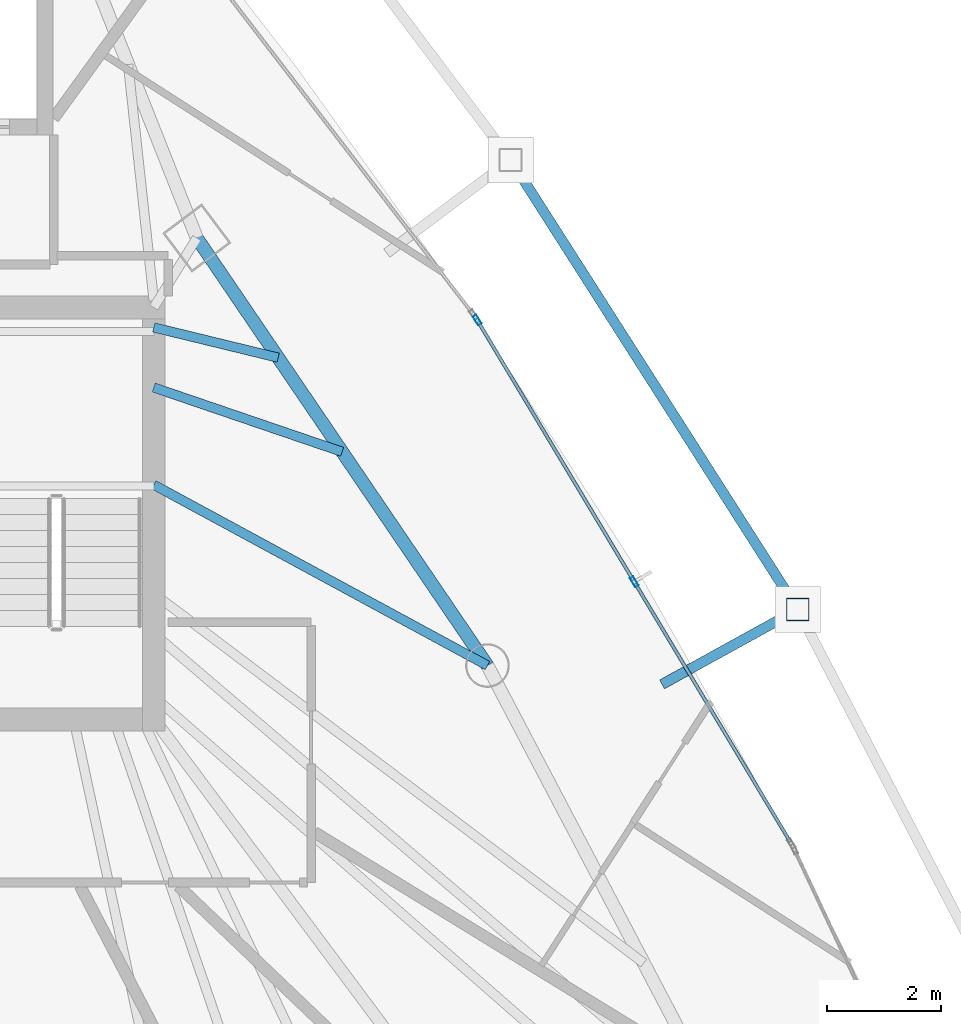
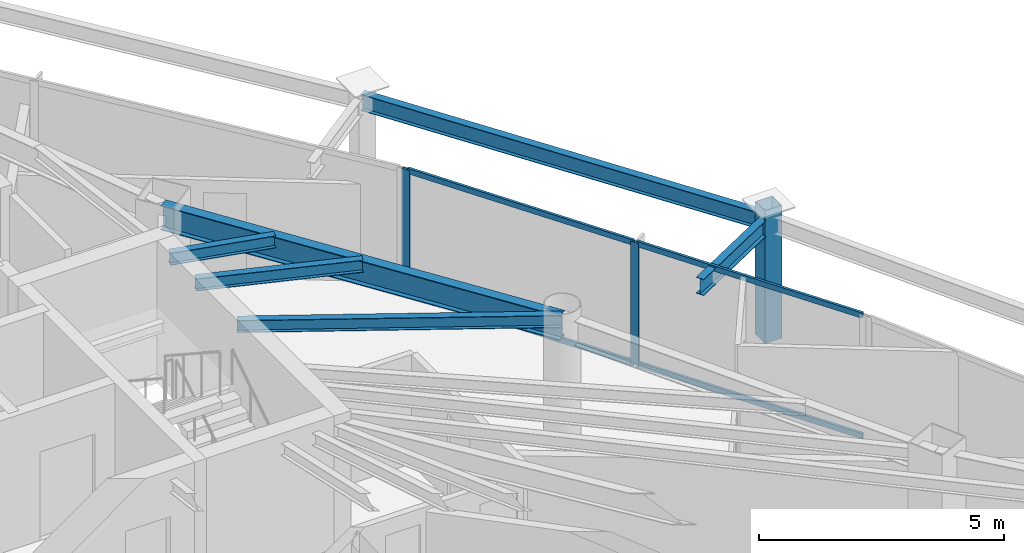
# One storey, part 18 of 29: 7 members, 6 beams, 1 element without a shape of its own.
"""IFC4 building model written with IfcOpenShell, lengths in metres."""

import ifcopenshell
import ifcopenshell.guid

model = None  # the IFC model being written
_history = None  # IfcOwnerHistory: only IFC2X3 demands one
_inside = {}  # id of a spatial element -> (the spatial element, [elements in it])
_under = {}  # id of a project, library or spatial element -> (it, [spatial elements below it])
_declared = {}  # id of a project -> (the project, [libraries it declares])
_typed = {}  # id of a type object -> (the type object, [elements of that type])
_made_of = {}  # id of a material, layer set ... -> (it, [elements and type objects made of it])


def new_model(schema):
    """Start an empty IFC model of exactly this schema.

    Asked for "IFC4X3", IfcOpenShell would pick the latest addendum, in which some entities
    have other attributes; the version numbers below select the first issue.
    IFC2X3 requires an IfcOwnerHistory on every rooted entity: one is made here for all.
    """
    global model, _history
    if schema == "IFC4X3":
        model = ifcopenshell.file(schema_version=(4, 3, 0, 0))
    else:
        model = ifcopenshell.file(schema=schema)
    _inside.clear()
    _under.clear()
    _declared.clear()
    _typed.clear()
    _made_of.clear()
    _history = None
    if model.schema == "IFC2X3":
        org = make("IfcOrganization", Name="unknown")
        user = make(
            "IfcPersonAndOrganization",
            ThePerson=make("IfcPerson", FamilyName="unknown"),
            TheOrganization=org,
        )
        app = make(
            "IfcApplication",
            ApplicationDeveloper=org,
            Version="unknown",
            ApplicationFullName="unknown",
            ApplicationIdentifier="unknown",
        )
        _history = make(
            "IfcOwnerHistory",
            OwningUser=user,
            OwningApplication=app,
            ChangeAction="ADDED",
            CreationDate=0,
        )
    return model


def make(cls, **values):
    """One entity of the class cls with the attributes given. An attribute that is None is left unset."""
    return model.create_entity(
        cls, **{name: value for name, value in values.items() if value is not None}
    )


def rooted(cls, **values):
    """An entity with a GlobalId (a new one), such as an element, a storey or a relation."""
    return make(cls, GlobalId=ifcopenshell.guid.new(), OwnerHistory=_history, **values)


def si_unit(unit_type, name, prefix=None):
    """IfcSIUnit, for example si_unit("LENGTHUNIT", "METRE", prefix="MILLI")."""
    return make("IfcSIUnit", UnitType=unit_type, Prefix=prefix, Name=name)


def assignment(units):
    """IfcUnitAssignment: the units of a project."""
    return None if units is None else make("IfcUnitAssignment", Units=units)


def point(xyz):
    """IfcCartesianPoint."""
    return None if xyz is None else make("IfcCartesianPoint", Coordinates=xyz)


def direction(xyz):
    """IfcDirection."""
    return None if xyz is None else make("IfcDirection", DirectionRatios=xyz)


def frame(location, z_axis=None, x_axis=None):
    """IfcAxis2Placement3D, a coordinate frame: its origin and axes. An axis left out is left unset."""
    return make(
        "IfcAxis2Placement3D",
        Location=point(location),
        Axis=direction(z_axis),
        RefDirection=direction(x_axis),
    )


def frame_2d(location, x_axis=None):
    """IfcAxis2Placement2D, a coordinate frame in the plane: its origin and x axis."""
    return make(
        "IfcAxis2Placement2D", Location=point(location), RefDirection=direction(x_axis)
    )


def origin():
    """The frame at (0, 0, 0) with its axes left unset."""
    return frame((0.0, 0.0, 0.0))


def origin_2d():
    """The frame at (0, 0) in the plane with its x axis left unset."""
    return frame_2d((0.0, 0.0))


def place(relative_to, where):
    """IfcLocalPlacement: puts the frame where relative to a parent placement (None: the world)."""
    return make(
        "IfcLocalPlacement", PlacementRelTo=relative_to, RelativePlacement=where
    )


def context(
    kind, dimensions, precision=None, world=None, true_north=None, identifier=None
):
    """IfcGeometricRepresentationContext, for example the 3D "Model" context."""
    return make(
        "IfcGeometricRepresentationContext",
        ContextIdentifier=identifier,
        ContextType=kind,
        CoordinateSpaceDimension=dimensions,
        Precision=precision,
        WorldCoordinateSystem=world,
        TrueNorth=true_north,
    )


def subcontext(parent, identifier, kind, view, scale=None):
    """IfcGeometricRepresentationSubContext, for example "Body" below "Model"."""
    return make(
        "IfcGeometricRepresentationSubContext",
        ContextIdentifier=identifier,
        ContextType=kind,
        ParentContext=parent,
        TargetScale=scale,
        TargetView=view,
    )


def project(units=None, contexts=None):
    """IfcProject with its units and contexts."""
    return rooted(
        "IfcProject",
        Name="project",
        RepresentationContexts=contexts,
        UnitsInContext=assignment(units),
    )


def spatial(cls, under=None, at=None, **own):
    """A site, building, storey or space (cls), placed at a placement, below another one or the project."""
    s = rooted(cls, ObjectPlacement=at, **own)
    if under is not None:
        _under.setdefault(under.id(), (under, []))[1].append(s)
    return s


def profile(cls, at=None, kind="AREA", **sizes):
    """A parametric profile (cls). Its sizes go by their IFC names, for example OverallWidth=200.0."""
    return make(cls, ProfileType=kind, Position=at, **sizes)


def hollow_rectangle(**sizes):
    """IfcRectangleHollowProfileDef."""
    return profile("IfcRectangleHollowProfileDef", **sizes)


def i_section(**sizes):
    """IfcIShapeProfileDef."""
    return profile("IfcIShapeProfileDef", **sizes)


def extrude(swept, where, along, depth):
    """IfcExtrudedAreaSolid: the profile swept, set in the frame where, extruded along a direction by depth."""
    return make(
        "IfcExtrudedAreaSolid",
        SweptArea=swept,
        Position=where,
        ExtrudedDirection=direction(along),
        Depth=depth,
    )


def shape(context_of_items, identifier, shape_type, items):
    """IfcShapeRepresentation: the items that make up one representation, for example the "Body"."""
    return make(
        "IfcShapeRepresentation",
        ContextOfItems=context_of_items,
        RepresentationIdentifier=identifier,
        RepresentationType=shape_type,
        Items=items,
    )


def material(Name=None, Category=None):
    """IfcMaterial."""
    return make("IfcMaterial", Name=Name, Category=Category)


def layer(
    of_material, thickness, ventilated=None, Name=None, Category=None, Priority=None
):
    """IfcMaterialLayer: one layer of a wall or slab, of a material (None: an air gap)."""
    return make(
        "IfcMaterialLayer",
        Material=of_material,
        LayerThickness=thickness,
        IsVentilated=ventilated,
        Name=Name,
        Category=Category,
        Priority=Priority,
    )


def layer_set(layers, Name=None):
    """IfcMaterialLayerSet."""
    return make("IfcMaterialLayerSet", MaterialLayers=layers, LayerSetName=Name)


def material_profile(
    of_material, cross_section, Name=None, Category=None, Priority=None
):
    """IfcMaterialProfile: a cross section and its material."""
    return make(
        "IfcMaterialProfile",
        Name=Name,
        Material=of_material,
        Profile=cross_section,
        Priority=Priority,
        Category=Category,
    )


def profile_set(profiles, Name=None, composite=None):
    """IfcMaterialProfileSet."""
    return make(
        "IfcMaterialProfileSet",
        Name=Name,
        MaterialProfiles=profiles,
        CompositeProfile=composite,
    )


def made_of(thing, what):
    """Note that an element or type object is made of a material, layer set ...; save() writes the relation."""
    if what is not None:
        _made_of.setdefault(what.id(), (what, []))[1].append(thing)
    return thing


def type_object(cls, material=None, **own):
    """A type object (cls), such as IfcWallType, which elements share."""
    return made_of(rooted(cls, **own), material)


def element(
    cls,
    number,
    at=None,
    inside=None,
    cuts=None,
    type_object=None,
    material=None,
    context=None,
    identifier="Body",
    shape_type=None,
    held_by="IfcProductDefinitionShape",
    body=None,
    shapes=None,
    **own,
):
    """One element of the class cls, such as IfcWall. Its Tag is "e" and its number.

    at: its placement. inside: the storey or other place that contains it. cuts: it is an
    opening in that element (IfcRelVoidsElement). A single representation is given by context,
    identifier, shape_type and body (its items); several are given by shapes. held_by: the class
    of the entity that holds the representations. save() writes the other relations.
    """
    e = rooted(cls, Tag="e%d" % number, ObjectPlacement=at, **own)
    if body is not None:
        shapes = [shape(context, identifier, shape_type, body)]
    if shapes is not None:
        e.Representation = make(held_by, Representations=shapes)
    if inside is not None:
        _inside.setdefault(inside.id(), (inside, []))[1].append(e)
    if cuts is not None:
        rooted(
            "IfcRelVoidsElement", RelatingBuildingElement=cuts, RelatedOpeningElement=e
        )
    if type_object is not None:
        _typed.setdefault(type_object.id(), (type_object, []))[1].append(e)
    return made_of(e, material)


def aggregate(whole, parts):
    """IfcRelAggregates: a whole, such as a stair, and the parts it consists of."""
    return rooted("IfcRelAggregates", RelatingObject=whole, RelatedObjects=parts)


def save(model, path):
    """Write the relations noted so far, then the file.

    IfcRelAggregates (storeys below a building ...), IfcRelContainedInSpatialStructure (elements
    in a storey), IfcRelDefinesByType, IfcRelAssociatesMaterial and IfcRelDeclares: one each for
    every whole, place, type object, material and project.
    """
    for whole, parts in _under.values():
        aggregate(whole, parts)
    for where, things in _inside.values():
        rooted(
            "IfcRelContainedInSpatialStructure",
            RelatedElements=things,
            RelatingStructure=where,
        )
    for kind, things in _typed.values():
        rooted("IfcRelDefinesByType", RelatedObjects=things, RelatingType=kind)
    for what, things in _made_of.values():
        rooted("IfcRelAssociatesMaterial", RelatedObjects=things, RelatingMaterial=what)
    for by, libraries in _declared.values():
        rooted("IfcRelDeclares", RelatingContext=by, RelatedDefinitions=libraries)
    model.write(path)


model = new_model("IFC4")

# Units and contexts
model_context = context("Model", 3, precision=1e-05, world=origin(), true_north=direction((0.0, 1.0)))
body_context = subcontext(model_context, "Body", "Model", "MODEL_VIEW")
ifc_project = project(units=[si_unit("LENGTHUNIT", "METRE"), si_unit("AREAUNIT", "SQUARE_METRE"), si_unit("VOLUMEUNIT", "CUBIC_METRE"), si_unit("PLANEANGLEUNIT", "RADIAN"), si_unit("MASSUNIT", "GRAM", prefix="KILO")], contexts=[model_context])

# Site, building, storey
site_placement = place(None, origin())
site = spatial("IfcSite", under=ifc_project, at=site_placement, CompositionType="ELEMENT")
building_placement = place(site_placement, origin())
building = spatial("IfcBuilding", under=site, at=building_placement, Name="Orvanel Arch Residences", CompositionType="ELEMENT")
storey_placement = place(building_placement, frame((0.0, 0.0, 177.050048828125)))
storey = spatial("IfcBuildingStorey", under=building, at=storey_placement, Name="L50", CompositionType="ELEMENT", Elevation=177.050048828125)

# Beams
ifc_material_1 = material(Name="Structural steel AS/NZS 3679.1 Grade 300 (300 MPa)", Category="steel")
ifc_material_profile_1 = material_profile(ifc_material_1, i_section(OverallWidth=0.1650390625, OverallDepth=0.303955078125, WebThickness=0.006103515625, FlangeThickness=0.01025390625, at=origin_2d()), Name="310UB40.4")
ifc_profile_set_1 = profile_set([ifc_material_profile_1], Name="Structural steel AS/NZS 3679.1 Grade 300 (300 MPa)")
beam_type_1 = type_object("IfcBeamType", Name="BJ-310UB", PredefinedType="JOIST", material=ifc_profile_set_1)
beam_1_placement = place(storey_placement, frame((39.60009765625, 30.800048828125, 2.907958984375), z_axis=(0.87925534649, -0.476350748576, 0.0), x_axis=(0.476350748576, 0.87925534649, 0.0)))
element("IfcBeam", 1, at=beam_1_placement, inside=storey, type_object=beam_type_1, Name="L50 NE Wing Floor Joist", PredefinedType="JOIST", context=body_context, shape_type="SweptSolid", body=[
    extrude(i_section(OverallWidth=0.1650390625, OverallDepth=0.303955078125, WebThickness=0.006103515625, FlangeThickness=0.01025390625, at=origin_2d()), origin(), (0.0, 0.0, 1.0), 6.631591796875),
])
beam_2_placement = place(storey_placement, frame((39.60009765625, 32.5, 2.907958984375), z_axis=(0.9464126781, -0.322959815969, 0.0), x_axis=(0.322959815969, 0.9464126781, 0.0)))
element("IfcBeam", 2, at=beam_2_placement, inside=storey, type_object=beam_type_1, Name="L50 ENE Wing Floor Joist", PredefinedType="JOIST", context=body_context, shape_type="SweptSolid", body=[
    extrude(i_section(OverallWidth=0.1650390625, OverallDepth=0.303955078125, WebThickness=0.006103515625, FlangeThickness=0.01025390625, at=origin_2d()), origin(), (0.0, 0.0, 1.0), 3.477294921875),
])
beam_3_placement = place(storey_placement, frame((39.60009765625, 33.550048828125, 2.907958984375), z_axis=(0.971638471014, -0.236471312521, 0.0), x_axis=(0.236471312521, 0.971638471014, 0.0)))
element("IfcBeam", 3, at=beam_3_placement, inside=storey, type_object=beam_type_1, Name="L50 JADD4 Wing Floor Joist", PredefinedType="JOIST", context=body_context, shape_type="SweptSolid", body=[
    extrude(i_section(OverallWidth=0.1650390625, OverallDepth=0.303955078125, WebThickness=0.006103515625, FlangeThickness=0.01025390625, at=origin_2d()), origin(), (0.0, 0.0, 1.0), 2.2373046875),
])

# Curtain wall, members
ifc_material_2 = material(Name="Bronze-anodised aluminium AA6063-T6", Category="aluminium")
ifc_layer = layer(ifc_material_2, 0.179931640625)
ifc_layer_set = layer_set([ifc_layer], Name="Bronze-anodised aluminium AA6063-T6")
curtain_wall_type = type_object("IfcCurtainWallType", Name="CW3-MID-SYS", PredefinedType="NOTDEFINED", material=ifc_layer_set)
curtain_wall_placement = place(storey_placement, origin())
curtain_wall = element("IfcCurtainWall", 4, at=curtain_wall_placement, inside=storey, type_object=curtain_wall_type, Name="L50 CW3-MID-SYS Unitised Curtain Wall", PredefinedType="NOTDEFINED")
ifc_material_profile_2 = material_profile(ifc_material_2, hollow_rectangle(XDim=0.070068359375, YDim=0.179931640625, WallThickness=0.00439453125, at=origin_2d()), Name="ALU180x70x4.5")
ifc_profile_set_2 = profile_set([ifc_material_profile_2], Name="Bronze-anodised aluminium AA6063-T6")
member_type_1 = type_object("IfcMemberType", Name="MUL-180x70", PredefinedType="MULLION", material=ifc_profile_set_2)
member_1_placement = place(storey_placement, frame((47.9970703125, 29.10400390625, 0.0), z_axis=(0.0, 0.0, 1.0), x_axis=(-0.857542204558, -0.514413615102, 0.0)))
member_1 = element("IfcMember", 5, at=member_1_placement, type_object=member_type_1, Name="CW-S3 mullion 2", PredefinedType="MULLION", context=body_context, shape_type="SweptSolid", body=[
    extrude(hollow_rectangle(XDim=0.070068359375, YDim=0.179931640625, WallThickness=0.00439453125, at=origin_2d()), origin(), (0.0, 0.0, 1.0), 3.06005859375),
])
member_2_placement = place(storey_placement, frame((45.251953125, 33.679931640625, 0.0), z_axis=(0.0, 0.0, 1.0), x_axis=(-0.857542204558, -0.514413615102, 0.0)))
member_2 = element("IfcMember", 6, at=member_2_placement, type_object=member_type_1, Name="CW-S3 mullion 3", PredefinedType="MULLION", context=body_context, shape_type="SweptSolid", body=[
    extrude(hollow_rectangle(XDim=0.070068359375, YDim=0.179931640625, WallThickness=0.00439453125, at=origin_2d()), origin(), (0.0, 0.0, 1.0), 3.06005859375),
])

# Beams
ifc_material_profile_3 = material_profile(ifc_material_1, i_section(OverallWidth=0.177978515625, OverallDepth=0.406005859375, WebThickness=0.0078125, FlangeThickness=0.0126953125, at=origin_2d()), Name="410UB59.7")
ifc_profile_set_3 = profile_set([ifc_material_profile_3], Name="Structural steel AS/NZS 3679.1 Grade 300 (300 MPa)")
beam_type_2 = type_object("IfcBeamType", Name="OB-410UB-EXT", PredefinedType="SPANDREL", material=ifc_profile_set_3)
beam_4_placement = place(storey_placement, frame((48.48291015625, 27.31201171875, 2.85693359375), z_axis=(0.875590833101, 0.483053509448, 0.0), x_axis=(-0.483053509448, 0.875590833101, 0.0)))
element("IfcBeam", 7, at=beam_4_placement, inside=storey, type_object=beam_type_2, Name="L50 Outer Frame Radial Tie Beam 10", PredefinedType="SPANDREL", context=body_context, shape_type="SweptSolid", body=[
    extrude(i_section(OverallWidth=0.177978515625, OverallDepth=0.406005859375, WebThickness=0.0078125, FlangeThickness=0.0126953125, at=origin_2d()), origin(), (0.0, 0.0, 1.0), 2.7080078125),
])
beam_5_placement = place(storey_placement, frame((50.85400390625, 28.6201171875, 2.85693359375), z_axis=(-0.538142335927, 0.842853976845, 0.0), x_axis=(-0.842853976845, -0.538142335927, 0.0)))
element("IfcBeam", 8, at=beam_5_placement, inside=storey, type_object=beam_type_2, Name="L50 Outer Perimeter Floor Ring Beam 10", PredefinedType="SPANDREL", context=body_context, shape_type="SweptSolid", body=[
    extrude(i_section(OverallWidth=0.177978515625, OverallDepth=0.406005859375, WebThickness=0.0078125, FlangeThickness=0.0126953125, at=origin_2d()), origin(), (0.0, 0.0, 1.0), 9.322998046875),
])
ifc_material_profile_4 = material_profile(ifc_material_1, i_section(OverallWidth=0.22900390625, OverallDepth=0.612060546875, WebThickness=0.011962890625, FlangeThickness=0.01953125, at=origin_2d()), Name="610UB125")
ifc_profile_set_4 = profile_set([ifc_material_profile_4], Name="Structural steel AS/NZS 3679.1 Grade 300 (300 MPa)")
beam_type_3 = type_object("IfcBeamType", Name="SP-610UB", PredefinedType="SPANDREL", material=ifc_profile_set_4)
beam_6_placement = place(storey_placement, frame((45.430908203125, 27.64111328125, 2.75390625), z_axis=(-0.562154793153, 0.827032035978, 0.0), x_axis=(-0.827032035978, -0.562154793153, 0.0)))
element("IfcBeam", 9, at=beam_6_placement, inside=storey, type_object=beam_type_3, Name="L50 Perimeter Spandrel Beam 12", PredefinedType="SPANDREL", context=body_context, shape_type="SweptSolid", body=[
    extrude(i_section(OverallWidth=0.22900390625, OverallDepth=0.612060546875, WebThickness=0.011962890625, FlangeThickness=0.01953125, at=origin_2d()), origin(), (0.0, 0.0, 1.0), 9.03466796875),
])

# Member
ifc_material_3 = material(Name="Structural steel AS/NZS 1163 C450L0 (Grade 450)", Category="steel")
ifc_material_profile_5 = material_profile(ifc_material_3, hollow_rectangle(XDim=0.39990234375, YDim=0.39990234375, WallThickness=0.01611328125, at=origin_2d()), Name="SHS400x400x16")
ifc_profile_set_5 = profile_set([ifc_material_profile_5], Name="Structural steel AS/NZS 1163 C450L0 (Grade 450)")
member_type_2 = type_object("IfcMemberType", Name="ST-400SHS-EXT", PredefinedType="STRUT", material=ifc_profile_set_5)
member_3_placement = place(storey_placement, frame((50.85400390625, 28.6201171875, 0.0), z_axis=(0.0, 0.0, 1.0), x_axis=(1.0, 0.0, 0.0)))
element("IfcMember", 10, at=member_3_placement, inside=storey, type_object=member_type_2, Name="L50 Outer Perimeter Frame Post 10", PredefinedType="STRUT", context=body_context, shape_type="SweptSolid", body=[
    extrude(hollow_rectangle(XDim=0.39990234375, YDim=0.39990234375, WallThickness=0.01611328125, at=origin_2d()), origin(), (0.0, 0.0, 1.0), 3.300048828125),
])

ifc_material_profile_6 = material_profile(ifc_material_2, hollow_rectangle(XDim=0.06005859375, YDim=0.135009765625, WallThickness=0.00390625, at=origin_2d()), Name="ALU135x60x4")
ifc_profile_set_6 = profile_set([ifc_material_profile_6], Name="Bronze-anodised aluminium AA6063-T6")
member_type_3 = type_object("IfcMemberType", Name="TRN-135x60", PredefinedType="USERDEFINED", material=ifc_profile_set_6)
member_4_placement = place(storey_placement, frame((50.723876953125, 24.55810546875, 0.030029296875), z_axis=(-0.514420757855, 0.857537919796, 0.0), x_axis=(-0.857537919796, -0.514420757855, 0.0)))
member_4 = element("IfcMember", 11, at=member_4_placement, type_object=member_type_3, Name="CW-S3 transom 1.1", ObjectType="TRANSOM", PredefinedType="USERDEFINED", context=body_context, shape_type="SweptSolid", body=[
    extrude(hollow_rectangle(XDim=0.06005859375, YDim=0.135009765625, WallThickness=0.00390625, at=origin_2d()), origin(), (0.0, 0.0, 1.0), 5.26611328125),
])

member_5_placement = place(storey_placement, frame((50.723876953125, 24.55810546875, 3.030029296875), z_axis=(-0.514420757855, 0.857537919796, 0.0), x_axis=(-0.857537919796, -0.514420757855, 0.0)))
member_5 = element("IfcMember", 12, at=member_5_placement, type_object=member_type_3, Name="CW-S3 transom 1.2", ObjectType="TRANSOM", PredefinedType="USERDEFINED", context=body_context, shape_type="SweptSolid", body=[
    extrude(hollow_rectangle(XDim=0.06005859375, YDim=0.135009765625, WallThickness=0.00390625, at=origin_2d()), origin(), (0.0, 0.0, 1.0), 5.26611328125),
])

member_6_placement = place(storey_placement, frame((47.97900390625, 29.134033203125, 0.030029296875), z_axis=(-0.514420757855, 0.857537919796, 0.0), x_axis=(-0.857537919796, -0.514420757855, 0.0)))
member_6 = element("IfcMember", 13, at=member_6_placement, type_object=member_type_3, Name="CW-S3 transom 2.1", ObjectType="TRANSOM", PredefinedType="USERDEFINED", context=body_context, shape_type="SweptSolid", body=[
    extrude(hollow_rectangle(XDim=0.06005859375, YDim=0.135009765625, WallThickness=0.00390625, at=origin_2d()), origin(), (0.0, 0.0, 1.0), 5.26611328125),
])

member_7_placement = place(storey_placement, frame((47.97900390625, 29.134033203125, 3.030029296875), z_axis=(-0.514420757855, 0.857537919796, 0.0), x_axis=(-0.857537919796, -0.514420757855, 0.0)))
member_7 = element("IfcMember", 14, at=member_7_placement, type_object=member_type_3, Name="CW-S3 transom 2.2", ObjectType="TRANSOM", PredefinedType="USERDEFINED", context=body_context, shape_type="SweptSolid", body=[
    extrude(hollow_rectangle(XDim=0.06005859375, YDim=0.135009765625, WallThickness=0.00390625, at=origin_2d()), origin(), (0.0, 0.0, 1.0), 5.26611328125),
])

aggregate(curtain_wall, [member_1, member_2, member_4, member_5, member_6, member_7])

save(model, "model.ifc")
